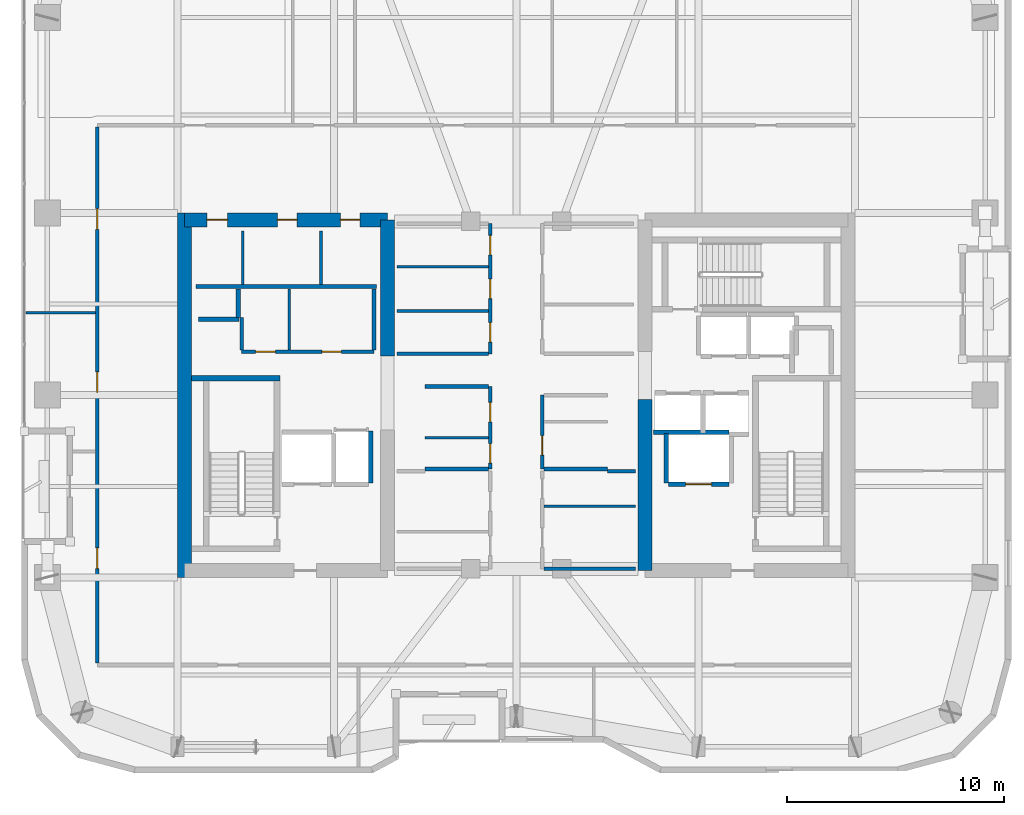
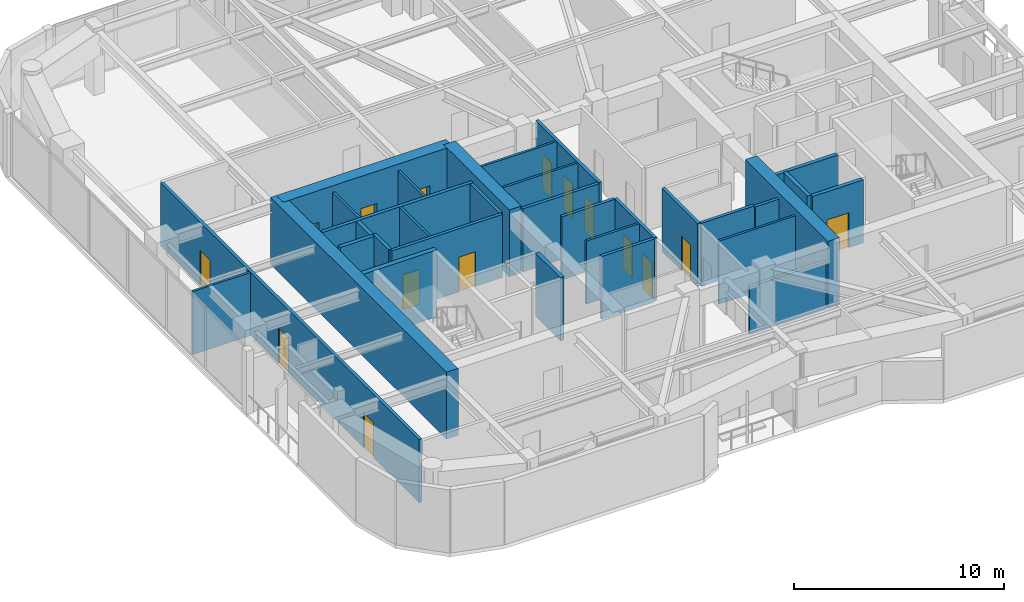
# One storey, part 16 of 21: 33 walls, 15 doors, 15 openings.
"""IFC4 building model written with IfcOpenShell, lengths in metres."""

from ifc_helpers import new_model, si_unit, direction, frame, frame_2d, origin, place, context, subcontext, project, spatial, rectangle, extrude, material, layer, layer_set, type_object, element, fill, save


model = new_model("IFC4")

# Units and contexts
model_context = context("Model", 3, precision=1e-05, world=origin(), true_north=direction((0.0, 1.0)))
body_context = subcontext(model_context, "Body", "Model", "MODEL_VIEW")
ifc_project = project(units=[si_unit("LENGTHUNIT", "METRE"), si_unit("AREAUNIT", "SQUARE_METRE"), si_unit("VOLUMEUNIT", "CUBIC_METRE"), si_unit("PLANEANGLEUNIT", "RADIAN"), si_unit("MASSUNIT", "GRAM", prefix="KILO")], contexts=[model_context])

# Site, building, storey
site_placement = place(None, origin())
site = spatial("IfcSite", under=ifc_project, at=site_placement, CompositionType="ELEMENT")
building_placement = place(site_placement, origin())
building = spatial("IfcBuilding", under=site, at=building_placement, Name="Kiyonajd Concourse Tower", CompositionType="ELEMENT")
storey_placement = place(building_placement, frame((0.0, 0.0, 227.10009765625)))
storey = spatial("IfcBuildingStorey", under=building, at=storey_placement, Name="L57", CompositionType="ELEMENT", Elevation=227.10009765625)

# Walls
ifc_material_1 = material(Name="Concrete C60/75", Category="concrete")
ifc_layer_1 = layer(ifc_material_1, 0.64990234375)
ifc_layer_set_1 = layer_set([ifc_layer_1], Name="Concrete C60/75")
wall_type_1 = type_object("IfcWallType", Name="WL-CORE-650", PredefinedType="SHEAR", material=ifc_layer_set_1)
wall_1_placement = place(storey_placement, frame((32.72509765625, 27.60009765625, 0.0), z_axis=(0.0, 0.0, 1.0), x_axis=(0.0, 1.0, 0.0)))
element("IfcWall", 1, at=wall_1_placement, inside=storey, type_object=wall_type_1, Name="L57 West Core Outer Shear Wall", PredefinedType="SHEAR", context=body_context, shape_type="SweptSolid", body=[
    extrude(rectangle(XDim=16.7998046875, YDim=0.64990234375, at=frame_2d((8.39990234375, 0.0))), origin(), (0.0, 0.0, 1.0), 3.89990234375),
])
wall_2_placement = place(storey_placement, frame((42.074951171875, 37.800048828125, 0.0), z_axis=(0.0, 0.0, 1.0), x_axis=(0.0, 1.0, 0.0)))
element("IfcWall", 2, at=wall_2_placement, inside=storey, type_object=wall_type_1, Name="L57 West Core Inner North Shear Wall", PredefinedType="SHEAR", context=body_context, shape_type="SweptSolid", body=[
    extrude(rectangle(XDim=6.27490234375, YDim=0.64990234375, at=frame_2d((3.137451171875, 0.0))), origin(), (0.0, 0.0, 1.0), 3.89990234375),
])

# Wall, openings, doors
wall_3_placement = place(storey_placement, frame((32.72509765625, 44.074951171875, 0.0), z_axis=(0.0, 0.0, 1.0), x_axis=(1.0, 0.0, 0.0)))
wall_3 = element("IfcWall", 3, at=wall_3_placement, inside=storey, type_object=wall_type_1, Name="L57 West Core North Shear Wall", PredefinedType="SHEAR", context=body_context, shape_type="SweptSolid", body=[
    extrude(rectangle(XDim=9.349853515625, YDim=0.64990234375, at=frame_2d((4.6748046875, 0.0))), origin(), (0.0, 0.0, 1.0), 3.89990234375),
])
opening_1_placement = place(wall_3_placement, frame((1.02490234375, 0.0, 0.0)))
opening_1 = element("IfcOpeningElement", 4, at=opening_1_placement, cuts=wall_3, Name="Opening DI1", PredefinedType="OPENING", context=body_context, shape_type="SweptSolid", body=[
    extrude(rectangle(XDim=0.949951171875, YDim=2.0400390625, at=frame_2d((0.47509765625, 1.02001953125))), frame((0.0, 0.3349609375, 0.0), z_axis=(0.0, -1.0, 0.0), x_axis=(1.0, 0.0, 0.0)), (0.0, 0.0, 1.0), 0.669921875),
])
opening_2_placement = place(wall_3_placement, frame((4.27490234375, 0.0, 0.0)))
opening_2 = element("IfcOpeningElement", 5, at=opening_2_placement, cuts=wall_3, Name="Opening DI2", PredefinedType="OPENING", context=body_context, shape_type="SweptSolid", body=[
    extrude(rectangle(XDim=0.89990234375, YDim=2.02001953125, at=frame_2d((0.449951171875, 1.010009765625))), frame((0.0, 0.3349609375, 0.0), z_axis=(0.0, -1.0, 0.0), x_axis=(1.0, 0.0, 0.0)), (0.0, 0.0, 1.0), 0.669921875),
])
opening_3_placement = place(wall_3_placement, frame((7.175048828125, 0.0, 0.0)))
opening_3 = element("IfcOpeningElement", 6, at=opening_3_placement, cuts=wall_3, Name="Opening DI2", PredefinedType="OPENING", context=body_context, shape_type="SweptSolid", body=[
    extrude(rectangle(XDim=0.89990234375, YDim=2.02001953125, at=frame_2d((0.449951171875, 1.010009765625))), frame((0.0, 0.3349609375, 0.0), z_axis=(0.0, -1.0, 0.0), x_axis=(1.0, 0.0, 0.0)), (0.0, 0.0, 1.0), 0.669921875),
])
ifc_material_2 = material(Name="Natural Oak Acoustic Timber Veneer", Category="wood")
door_type_1 = type_object("IfcDoorType", Name="DR-INT-900", OperationType="NOTDEFINED", PredefinedType="DOOR", material=ifc_material_2)
door_1_placement = place(opening_2_placement, origin())
door_1 = element("IfcDoor", 7, at=door_1_placement, inside=storey, type_object=door_type_1, Name="L57 Male Restroom Door", OperationType="SINGLE_SWING_RIGHT", OverallHeight=2.02001953125, OverallWidth=0.89990234375, PredefinedType="DOOR", context=body_context, shape_type="SweptSolid", body=[
    extrude(rectangle(XDim=0.89990234375, YDim=2.02001953125, at=frame_2d((0.449951171875, 1.010009765625))), frame((0.0, 0.02490234375, 0.0), z_axis=(0.0, -1.0, 0.0), x_axis=(1.0, 0.0, 0.0)), (0.0, 0.0, 1.0), 0.050048828125),
])
fill(opening_2, door_1)
door_2_placement = place(opening_3_placement, origin())
door_2 = element("IfcDoor", 8, at=door_2_placement, inside=storey, type_object=door_type_1, Name="L57 Female Restroom Door", OperationType="SINGLE_SWING_LEFT", OverallHeight=2.02001953125, OverallWidth=0.89990234375, PredefinedType="DOOR", context=body_context, shape_type="SweptSolid", body=[
    extrude(rectangle(XDim=0.89990234375, YDim=2.02001953125, at=frame_2d((0.449951171875, 1.010009765625))), frame((0.0, 0.02490234375, 0.0), z_axis=(0.0, -1.0, 0.0), x_axis=(1.0, 0.0, 0.0)), (0.0, 0.0, 1.0), 0.050048828125),
])
fill(opening_3, door_2)
door_type_2 = type_object("IfcDoorType", Name="DR-INT-950", OperationType="NOTDEFINED", PredefinedType="DOOR", material=ifc_material_2)
door_3_placement = place(opening_1_placement, origin())
door_3 = element("IfcDoor", 9, at=door_3_placement, inside=storey, type_object=door_type_2, Name="L57 Single User Accessible WC Door", OperationType="SINGLE_SWING_LEFT", OverallHeight=2.0400390625, OverallWidth=0.949951171875, PredefinedType="DOOR", context=body_context, shape_type="SweptSolid", body=[
    extrude(rectangle(XDim=0.949951171875, YDim=2.0400390625, at=frame_2d((0.47509765625, 1.02001953125))), frame((0.0, 0.02490234375, 0.0), z_axis=(0.0, -1.0, 0.0), x_axis=(1.0, 0.0, 0.0)), (0.0, 0.0, 1.0), 0.050048828125),
])
fill(opening_1, door_3)

# Walls
wall_4_placement = place(storey_placement, frame((53.925048828125, 27.925048828125, 0.0), z_axis=(0.0, 0.0, 1.0), x_axis=(0.0, 1.0, 0.0)))
element("IfcWall", 10, at=wall_4_placement, inside=storey, type_object=wall_type_1, Name="L57 East Core Inner South Shear Wall", PredefinedType="SHEAR", context=body_context, shape_type="SweptSolid", body=[
    extrude(rectangle(XDim=7.875, YDim=0.64990234375, at=frame_2d((3.9375, 0.0))), origin(), (0.0, 0.0, 1.0), 3.89990234375),
])
ifc_material_3 = material(Name="Gypsum Board on Cold-Formed Steel Stud", Category="steel")
ifc_layer_2 = layer(ifc_material_3, 0.125)
ifc_layer_set_2 = layer_set([ifc_layer_2], Name="Gypsum Board on Cold-Formed Steel Stud")
wall_type_2 = type_object("IfcWallType", Name="WL-PART-125", PredefinedType="PARTITIONING", material=ifc_layer_set_2)
for number, where, z_axis, x_axis, name in (
    (11, (35.39990234375, 41.094970703125, 0.0), (0.0, 0.0, 1.0), (0.0, 1.0, 0.0), "L57 Interior Partition Wall"),
    (12, (39.0, 41.094970703125, 0.0), (0.0, 0.0, 1.0), (0.0, 1.0, 0.0), "L57 Interior Partition Wall"),
):
    element("IfcWall", number, at=place(storey_placement, frame(where, z_axis=z_axis, x_axis=x_axis)), inside=storey, type_object=wall_type_2, Name=name, PredefinedType="PARTITIONING", context=body_context, shape_type="SweptSolid", body=[
        extrude(rectangle(XDim=2.455078125, YDim=0.125, at=frame_2d((1.2275390625, 0.0))), origin(), (0.0, 0.0, 1.0), 3.679931640625),
    ])
wall_5_placement = place(storey_placement, frame((37.5458984375, 38.0869140625, 0.0), z_axis=(0.0, 0.0, 1.0), x_axis=(0.0, 1.0, 0.0)))
element("IfcWall", 13, at=wall_5_placement, inside=storey, type_object=wall_type_2, Name="L57 Interior Partition Wall", PredefinedType="PARTITIONING", context=body_context, shape_type="SweptSolid", body=[
    extrude(rectangle(XDim=2.81298828125, YDim=0.125, at=frame_2d((1.406494140625, 0.0))), origin(), (0.0, 0.0, 1.0), 3.679931640625),
])
wall_6_placement = place(storey_placement, frame((43.800048828125, 34.0439453125, 0.0), z_axis=(0.0, 0.0, 1.0), x_axis=(1.0, 0.0, 0.0)))
element("IfcWall", 14, at=wall_6_placement, inside=storey, type_object=wall_type_2, Name="L57 Interior Partition Wall", PredefinedType="PARTITIONING", context=body_context, shape_type="SweptSolid", body=[
    extrude(rectangle(XDim=2.912841796875, YDim=0.125, at=frame_2d((1.45654296875, 0.0))), origin(), (0.0, 0.0, 1.0), 3.679931640625),
])
for number, where, z_axis, x_axis, name in (
    (15, (49.287109375, 30.8798828125, 0.0), (0.0, 0.0, 1.0), (1.0, 0.0, 0.0), "L57 Interior Partition Wall"),
    (16, (42.5, 39.8798828125, 0.0), (0.0, 0.0, 1.0), (1.0, 0.0, 0.0), "L57 Interior Partition Wall"),
    (17, (42.5, 41.919921875, 0.0), (0.0, 0.0, 1.0), (1.0, 0.0, 0.0), "L57 Interior Partition Wall"),
):
    element("IfcWall", number, at=place(storey_placement, frame(where, z_axis=z_axis, x_axis=x_axis)), inside=storey, type_object=wall_type_2, Name=name, PredefinedType="PARTITIONING", context=body_context, shape_type="SweptSolid", body=[
        extrude(rectangle(XDim=4.212890625, YDim=0.125, at=frame_2d((2.1064453125, 0.0))), origin(), (0.0, 0.0, 1.0), 3.679931640625),
    ])
wall_7_placement = place(storey_placement, frame((25.425048828125, 39.800048828125, 0.0), z_axis=(0.0, 0.0, 1.0), x_axis=(1.0, 0.0, 0.0)))
element("IfcWall", 18, at=wall_7_placement, inside=storey, type_object=wall_type_2, Name="L57 Interior Partition Wall", PredefinedType="PARTITIONING", context=body_context, shape_type="SweptSolid", body=[
    extrude(rectangle(XDim=3.18798828125, YDim=0.125, at=frame_2d((1.593994140625, 0.0))), origin(), (0.0, 0.0, 1.0), 3.679931640625),
])
ifc_layer_3 = layer(ifc_material_3, 0.18994140625)
ifc_layer_set_3 = layer_set([ifc_layer_3], Name="Gypsum Board on Cold-Formed Steel Stud")
wall_type_3 = type_object("IfcWallType", Name="WL-PLMB-190", PredefinedType="PLUMBINGWALL", material=ifc_layer_set_3)
wall_8_placement = place(storey_placement, frame((33.25, 41.0, 0.0), z_axis=(0.0, 0.0, 1.0), x_axis=(1.0, 0.0, 0.0)))
element("IfcWall", 19, at=wall_8_placement, inside=storey, type_object=wall_type_3, Name="L57 Interior Partition Wall", PredefinedType="PLUMBINGWALL", context=body_context, shape_type="SweptSolid", body=[
    extrude(rectangle(XDim=8.300048828125, YDim=0.18994140625, at=frame_2d((4.14990234375, 0.0))), origin(), (0.0, 0.0, 1.0), 3.679931640625),
])
ifc_layer_4 = layer(ifc_material_3, 0.2099609375)
ifc_layer_set_4 = layer_set([ifc_layer_4], Name="Gypsum Board on Cold-Formed Steel Stud")
wall_type_4 = type_object("IfcWallType", Name="WL-SHAFT-210", PredefinedType="PARTITIONING", material=ifc_layer_set_4)
wall_9_placement = place(storey_placement, frame((33.360107421875, 39.5, 0.0), z_axis=(0.0, 0.0, 1.0), x_axis=(1.0, 0.0, 0.0)))
element("IfcWall", 20, at=wall_9_placement, inside=storey, type_object=wall_type_4, Name="L57 Shaft Enclosure Wall", PredefinedType="PARTITIONING", context=body_context, shape_type="SweptSolid", body=[
    extrude(rectangle(XDim=1.85986328125, YDim=0.2099609375, at=frame_2d((0.929931640625, 0.0))), origin(), (0.0, 0.0, 1.0), 3.679931640625),
])
wall_10_placement = place(storey_placement, frame((35.199951171875, 39.580078125, 0.0), z_axis=(0.0, 0.0, 1.0), x_axis=(0.0, 1.0, 0.0)))
element("IfcWall", 21, at=wall_10_placement, inside=storey, type_object=wall_type_4, Name="L57 Shaft Enclosure Wall", PredefinedType="PARTITIONING", context=body_context, shape_type="SweptSolid", body=[
    extrude(rectangle(XDim=1.31982421875, YDim=0.2099609375, at=frame_2d((0.659912109375, 0.0))), origin(), (0.0, 0.0, 1.0), 3.679931640625),
])

# Wall, opening, door
wall_11_placement = place(storey_placement, frame((55.0, 31.89990234375, 0.0), z_axis=(0.0, 0.0, 1.0), x_axis=(1.0, 0.0, 0.0)))
wall_11 = element("IfcWall", 22, at=wall_11_placement, inside=storey, type_object=wall_type_4, Name="L57 Shaft Enclosure Wall", PredefinedType="PARTITIONING", context=body_context, shape_type="SweptSolid", body=[
    extrude(rectangle(XDim=2.800048828125, YDim=0.2099609375, at=frame_2d((1.39990234375, 0.0))), origin(), (0.0, 0.0, 1.0), 3.679931640625),
])
opening_4_placement = place(wall_11_placement, frame((0.800048828125, 0.0, 0.0)))
opening_4 = element("IfcOpeningElement", 23, at=opening_4_placement, cuts=wall_11, Name="Opening LD2", PredefinedType="OPENING", context=body_context, shape_type="SweptSolid", body=[
    extrude(rectangle(XDim=1.199951171875, YDim=2.0400390625, at=frame_2d((0.60009765625, 1.02001953125))), frame((0.0, 0.114990234375, 0.0), z_axis=(0.0, -1.0, 0.0), x_axis=(1.0, 0.0, 0.0)), (0.0, 0.0, 1.0), 0.22998046875),
])
ifc_material_4 = material(Name="Brushed Stainless Steel Cab Assembly", Category="steel")
door_type_3 = type_object("IfcDoorType", Name="DR-LD-1200", OperationType="DOUBLE_DOOR_SLIDING", PredefinedType="DOOR", material=ifc_material_4)
door_4_placement = place(opening_4_placement, origin())
door_4 = element("IfcDoor", 24, at=door_4_placement, inside=storey, type_object=door_type_3, Name="L57 Lift FFL2 Sliding Landing Door", OperationType="DOUBLE_DOOR_SLIDING", OverallHeight=2.0400390625, OverallWidth=1.199951171875, PredefinedType="DOOR", context=body_context, shape_type="SweptSolid", body=[
    extrude(rectangle(XDim=1.199951171875, YDim=2.0400390625, at=frame_2d((0.60009765625, 1.02001953125))), frame((0.0, 0.02490234375, 0.0), z_axis=(0.0, -1.0, 0.0), x_axis=(1.0, 0.0, 0.0)), (0.0, 0.0, 1.0), 0.050048828125),
])
fill(opening_4, door_4)

# Walls
wall_12_placement = place(storey_placement, frame((54.320068359375, 34.300048828125, 0.0), z_axis=(0.0, 0.0, 1.0), x_axis=(1.0, 0.0, 0.0)))
element("IfcWall", 25, at=wall_12_placement, inside=storey, type_object=wall_type_4, Name="L57 Shaft Enclosure Wall", PredefinedType="PARTITIONING", context=body_context, shape_type="SweptSolid", body=[
    extrude(rectangle(XDim=3.47998046875, YDim=0.2099609375, at=frame_2d((1.739990234375, 0.0))), origin(), (0.0, 0.0, 1.0), 3.679931640625),
])
wall_13_placement = place(storey_placement, frame((54.89990234375, 31.9599609375, 0.0), z_axis=(0.0, 0.0, 1.0), x_axis=(0.0, 1.0, 0.0)))
element("IfcWall", 26, at=wall_13_placement, inside=storey, type_object=wall_type_4, Name="L57 Shaft Enclosure Wall", PredefinedType="PARTITIONING", context=body_context, shape_type="SweptSolid", body=[
    extrude(rectangle(XDim=2.280029296875, YDim=0.2099609375, at=frame_2d((1.14013671875, 0.0))), origin(), (0.0, 0.0, 1.0), 3.679931640625),
])
wall_14_placement = place(storey_placement, frame((41.300048828125, 31.9599609375, 0.0), z_axis=(0.0, 0.0, 1.0), x_axis=(0.0, 1.0, 0.0)))
element("IfcWall", 27, at=wall_14_placement, inside=storey, type_object=wall_type_4, Name="L57 Shaft Enclosure Wall", PredefinedType="PARTITIONING", context=body_context, shape_type="SweptSolid", body=[
    extrude(rectangle(XDim=2.380126953125, YDim=0.2099609375, at=frame_2d((1.18994140625, 0.0))), origin(), (0.0, 0.0, 1.0), 3.679931640625),
])

# Wall, openings, doors
ifc_layer_5 = layer(ifc_material_3, 0.169921875)
ifc_layer_set_5 = layer_set([ifc_layer_5], Name="Gypsum Board on Cold-Formed Steel Stud")
wall_type_5 = type_object("IfcWallType", Name="WL-SMK-170", PredefinedType="PARTITIONING", material=ifc_layer_set_5)
wall_15_placement = place(storey_placement, frame((35.35009765625, 38.0, 0.0), z_axis=(0.0, 0.0, 1.0), x_axis=(1.0, 0.0, 0.0)))
wall_15 = element("IfcWall", 28, at=wall_15_placement, inside=storey, type_object=wall_type_5, Name="L57 Interior Partition Wall", PredefinedType="PARTITIONING", context=body_context, shape_type="SweptSolid", body=[
    extrude(rectangle(XDim=6.099853515625, YDim=0.169921875, at=frame_2d((3.0498046875, 0.0))), origin(), (0.0, 0.0, 1.0), 3.679931640625),
])
opening_5_placement = place(wall_15_placement, frame((0.64794921875, 0.0, 0.0)))
opening_5 = element("IfcOpeningElement", 29, at=opening_5_placement, cuts=wall_15, Name="Opening DI2", PredefinedType="OPENING", context=body_context, shape_type="SweptSolid", body=[
    extrude(rectangle(XDim=0.89990234375, YDim=2.02001953125, at=frame_2d((0.449951171875, 1.010009765625))), frame((0.0, 0.094970703125, 0.0), z_axis=(0.0, -1.0, 0.0), x_axis=(1.0, 0.0, 0.0)), (0.0, 0.0, 1.0), 0.18994140625),
])
opening_6_placement = place(wall_15_placement, frame((3.697998046875, 0.0, 0.0)))
opening_6 = element("IfcOpeningElement", 30, at=opening_6_placement, cuts=wall_15, Name="Opening DI2", PredefinedType="OPENING", context=body_context, shape_type="SweptSolid", body=[
    extrude(rectangle(XDim=0.89990234375, YDim=2.02001953125, at=frame_2d((0.449951171875, 1.010009765625))), frame((0.0, 0.094970703125, 0.0), z_axis=(0.0, -1.0, 0.0), x_axis=(1.0, 0.0, 0.0)), (0.0, 0.0, 1.0), 0.18994140625),
])
door_5_placement = place(opening_5_placement, origin())
door_5 = element("IfcDoor", 31, at=door_5_placement, inside=storey, type_object=door_type_1, Name="L57 Interior Door", OperationType="SINGLE_SWING_RIGHT", OverallHeight=2.02001953125, OverallWidth=0.89990234375, PredefinedType="DOOR", context=body_context, shape_type="SweptSolid", body=[
    extrude(rectangle(XDim=0.89990234375, YDim=2.02001953125, at=frame_2d((0.449951171875, 1.010009765625))), frame((0.0, 0.02490234375, 0.0), z_axis=(0.0, -1.0, 0.0), x_axis=(1.0, 0.0, 0.0)), (0.0, 0.0, 1.0), 0.050048828125),
])
fill(opening_5, door_5)
door_6_placement = place(opening_6_placement, origin())
door_6 = element("IfcDoor", 32, at=door_6_placement, inside=storey, type_object=door_type_1, Name="L57 Interior Door", OperationType="SINGLE_SWING_LEFT", OverallHeight=2.02001953125, OverallWidth=0.89990234375, PredefinedType="DOOR", context=body_context, shape_type="SweptSolid", body=[
    extrude(rectangle(XDim=0.89990234375, YDim=2.02001953125, at=frame_2d((0.449951171875, 1.010009765625))), frame((0.0, 0.02490234375, 0.0), z_axis=(0.0, -1.0, 0.0), x_axis=(1.0, 0.0, 0.0)), (0.0, 0.0, 1.0), 0.050048828125),
])
fill(opening_6, door_6)

# Walls
wall_16_placement = place(storey_placement, frame((35.35009765625, 38.0869140625, 0.0), z_axis=(0.0, 0.0, 1.0), x_axis=(0.0, 1.0, 0.0)))
element("IfcWall", 33, at=wall_16_placement, inside=storey, type_object=wall_type_5, Name="L57 Interior Partition Wall", PredefinedType="PARTITIONING", context=body_context, shape_type="SweptSolid", body=[
    extrude(rectangle(XDim=1.4931640625, YDim=0.169921875, at=frame_2d((0.74658203125, 0.0))), origin(), (0.0, 0.0, 1.0), 3.679931640625),
])
wall_17_placement = place(storey_placement, frame((41.449951171875, 38.0869140625, 0.0), z_axis=(0.0, 0.0, 1.0), x_axis=(0.0, 1.0, 0.0)))
element("IfcWall", 34, at=wall_17_placement, inside=storey, type_object=wall_type_5, Name="L57 Interior Partition Wall", PredefinedType="PARTITIONING", context=body_context, shape_type="SweptSolid", body=[
    extrude(rectangle(XDim=2.81298828125, YDim=0.169921875, at=frame_2d((1.406494140625, 0.0))), origin(), (0.0, 0.0, 1.0), 3.679931640625),
])

# Wall, openings, doors
wall_18_placement = place(storey_placement, frame((46.800048828125, 32.60009765625, 0.0), z_axis=(0.0, 0.0, 1.0), x_axis=(0.0, 1.0, 0.0)))
wall_18 = element("IfcWall", 35, at=wall_18_placement, inside=storey, type_object=wall_type_5, Name="L57 Interior Partition Wall", PredefinedType="PARTITIONING", context=body_context, shape_type="SweptSolid", body=[
    extrude(rectangle(XDim=3.7998046875, YDim=0.169921875, at=frame_2d((1.89990234375, 0.0))), origin(), (0.0, 0.0, 1.0), 3.679931640625),
])
opening_7_placement = place(wall_18_placement, frame((0.27197265625, 0.0, 0.0)))
opening_7 = element("IfcOpeningElement", 36, at=opening_7_placement, cuts=wall_18, Name="Opening DI2", PredefinedType="OPENING", context=body_context, shape_type="SweptSolid", body=[
    extrude(rectangle(XDim=0.89990234375, YDim=2.02001953125, at=frame_2d((0.449951171875, 1.010009765625))), frame((0.0, 0.094970703125, 0.0), z_axis=(0.0, -1.0, 0.0), x_axis=(1.0, 0.0, 0.0)), (0.0, 0.0, 1.0), 0.18994140625),
])
opening_8_placement = place(wall_18_placement, frame((2.172119140625, 0.0, 0.0)))
opening_8 = element("IfcOpeningElement", 37, at=opening_8_placement, cuts=wall_18, Name="Opening DI2", PredefinedType="OPENING", context=body_context, shape_type="SweptSolid", body=[
    extrude(rectangle(XDim=0.89990234375, YDim=2.02001953125, at=frame_2d((0.449951171875, 1.010009765625))), frame((0.0, 0.094970703125, 0.0), z_axis=(0.0, -1.0, 0.0), x_axis=(1.0, 0.0, 0.0)), (0.0, 0.0, 1.0), 0.18994140625),
])
door_7_placement = place(opening_7_placement, origin())
door_7 = element("IfcDoor", 38, at=door_7_placement, inside=storey, type_object=door_type_1, Name="L57 Interior Door", OperationType="SINGLE_SWING_RIGHT", OverallHeight=2.02001953125, OverallWidth=0.89990234375, PredefinedType="DOOR", context=body_context, shape_type="SweptSolid", body=[
    extrude(rectangle(XDim=0.89990234375, YDim=2.02001953125, at=frame_2d((0.449951171875, 1.010009765625))), frame((0.0, 0.02490234375, 0.0), z_axis=(0.0, -1.0, 0.0), x_axis=(1.0, 0.0, 0.0)), (0.0, 0.0, 1.0), 0.050048828125),
])
fill(opening_7, door_7)
door_8_placement = place(opening_8_placement, origin())
door_8 = element("IfcDoor", 39, at=door_8_placement, inside=storey, type_object=door_type_1, Name="L57 Interior Door", OperationType="SINGLE_SWING_LEFT", OverallHeight=2.02001953125, OverallWidth=0.89990234375, PredefinedType="DOOR", context=body_context, shape_type="SweptSolid", body=[
    extrude(rectangle(XDim=0.89990234375, YDim=2.02001953125, at=frame_2d((0.449951171875, 1.010009765625))), frame((0.0, 0.02490234375, 0.0), z_axis=(0.0, -1.0, 0.0), x_axis=(1.0, 0.0, 0.0)), (0.0, 0.0, 1.0), 0.050048828125),
])
fill(opening_8, door_8)

# Walls
for number, where, z_axis, x_axis, name in (
    (40, (43.800048828125, 32.60009765625, 0.0), (0.0, 0.0, 1.0), (1.0, 0.0, 0.0), "L57 Interior Partition Wall"),
    (41, (43.800048828125, 36.39990234375, 0.0), (0.0, 0.0, 1.0), (1.0, 0.0, 0.0), "L57 Interior Partition Wall"),
):
    element("IfcWall", number, at=place(storey_placement, frame(where, z_axis=z_axis, x_axis=x_axis)), inside=storey, type_object=wall_type_5, Name=name, PredefinedType="PARTITIONING", context=body_context, shape_type="SweptSolid", body=[
        extrude(rectangle(XDim=2.912841796875, YDim=0.169921875, at=frame_2d((1.45654296875, 0.0))), origin(), (0.0, 0.0, 1.0), 3.679931640625),
    ])

# Wall, opening, door
wall_19_placement = place(storey_placement, frame((49.199951171875, 32.60009765625, 0.0), z_axis=(0.0, 0.0, 1.0), x_axis=(0.0, 1.0, 0.0)))
wall_19 = element("IfcWall", 42, at=wall_19_placement, inside=storey, type_object=wall_type_5, Name="L57 Interior Partition Wall", PredefinedType="PARTITIONING", context=body_context, shape_type="SweptSolid", body=[
    extrude(rectangle(XDim=3.39990234375, YDim=0.169921875, at=frame_2d((1.699951171875, 0.0))), origin(), (0.0, 0.0, 1.0), 3.679931640625),
])
opening_9_placement = place(wall_19_placement, frame((0.637939453125, 0.0, 0.0)))
opening_9 = element("IfcOpeningElement", 43, at=opening_9_placement, cuts=wall_19, Name="Opening DF4", PredefinedType="OPENING", context=body_context, shape_type="SweptSolid", body=[
    extrude(rectangle(XDim=0.89990234375, YDim=2.02001953125, at=frame_2d((0.449951171875, 1.010009765625))), frame((0.0, 0.094970703125, 0.0), z_axis=(0.0, -1.0, 0.0), x_axis=(1.0, 0.0, 0.0)), (0.0, 0.0, 1.0), 0.18994140625),
])
door_type_4 = type_object("IfcDoorType", Name="DR-FD60-900", OperationType="NOTDEFINED", PredefinedType="DOOR", material=ifc_material_4)
door_9_placement = place(opening_9_placement, origin())
door_9 = element("IfcDoor", 44, at=door_9_placement, inside=storey, type_object=door_type_4, Name="L57 Interior Door", OperationType="SINGLE_SWING_RIGHT", OverallHeight=2.02001953125, OverallWidth=0.89990234375, PredefinedType="DOOR", context=body_context, shape_type="SweptSolid", body=[
    extrude(rectangle(XDim=0.89990234375, YDim=2.02001953125, at=frame_2d((0.449951171875, 1.010009765625))), frame((0.0, 0.02490234375, 0.0), z_axis=(0.0, -1.0, 0.0), x_axis=(1.0, 0.0, 0.0)), (0.0, 0.0, 1.0), 0.050048828125),
])
fill(opening_9, door_9)

# Walls
wall_20_placement = place(storey_placement, frame((49.287109375, 32.60009765625, 0.0), z_axis=(0.0, 0.0, 1.0), x_axis=(1.0, 0.0, 0.0)))
element("IfcWall", 45, at=wall_20_placement, inside=storey, type_object=wall_type_5, Name="L57 Interior Partition Wall", PredefinedType="PARTITIONING", context=body_context, shape_type="SweptSolid", body=[
    extrude(rectangle(XDim=2.912841796875, YDim=0.169921875, at=frame_2d((1.45654296875, 0.0))), origin(), (0.0, 0.0, 1.0), 3.679931640625),
])
wall_21_placement = place(storey_placement, frame((49.287109375, 28.0, 0.0), z_axis=(0.0, 0.0, 1.0), x_axis=(1.0, 0.0, 0.0)))
element("IfcWall", 46, at=wall_21_placement, inside=storey, type_object=wall_type_5, Name="L57 Interior Partition Wall", PredefinedType="PARTITIONING", context=body_context, shape_type="SweptSolid", body=[
    extrude(rectangle(XDim=4.212890625, YDim=0.169921875, at=frame_2d((2.1064453125, 0.0))), origin(), (0.0, 0.0, 1.0), 2.764892578125),
])
wall_22_placement = place(storey_placement, frame((52.199951171875, 32.5, 0.0), z_axis=(0.0, 0.0, 1.0), x_axis=(1.0, 0.0, 0.0)))
element("IfcWall", 47, at=wall_22_placement, inside=storey, type_object=wall_type_5, Name="L57 Interior Partition Wall", PredefinedType="PARTITIONING", context=body_context, shape_type="SweptSolid", body=[
    extrude(rectangle(XDim=1.300048828125, YDim=0.169921875, at=frame_2d((0.64990234375, 0.0))), origin(), (0.0, 0.0, 1.0), 3.679931640625),
])

# Wall, openings, doors
wall_23_placement = place(storey_placement, frame((46.800048828125, 37.89990234375, 0.0), z_axis=(0.0, 0.0, 1.0), x_axis=(0.0, 1.0, 0.0)))
wall_23 = element("IfcWall", 48, at=wall_23_placement, inside=storey, type_object=wall_type_5, Name="L57 Interior Partition Wall", PredefinedType="PARTITIONING", context=body_context, shape_type="SweptSolid", body=[
    extrude(rectangle(XDim=6.0, YDim=0.169921875, at=frame_2d((3.0, 0.0))), origin(), (0.0, 0.0, 1.0), 3.679931640625),
])
opening_10_placement = place(wall_23_placement, frame((0.5400390625, 0.0, 0.0)))
opening_10 = element("IfcOpeningElement", 49, at=opening_10_placement, cuts=wall_23, Name="Opening DI2", PredefinedType="OPENING", context=body_context, shape_type="SweptSolid", body=[
    extrude(rectangle(XDim=0.89990234375, YDim=2.02001953125, at=frame_2d((0.449951171875, 1.010009765625))), frame((0.0, 0.094970703125, 0.0), z_axis=(0.0, -1.0, 0.0), x_axis=(1.0, 0.0, 0.0)), (0.0, 0.0, 1.0), 0.18994140625),
])
opening_11_placement = place(wall_23_placement, frame((2.550048828125, 0.0, 0.0)))
opening_11 = element("IfcOpeningElement", 50, at=opening_11_placement, cuts=wall_23, Name="Opening DI2", PredefinedType="OPENING", context=body_context, shape_type="SweptSolid", body=[
    extrude(rectangle(XDim=0.89990234375, YDim=2.02001953125, at=frame_2d((0.449951171875, 1.010009765625))), frame((0.0, 0.094970703125, 0.0), z_axis=(0.0, -1.0, 0.0), x_axis=(1.0, 0.0, 0.0)), (0.0, 0.0, 1.0), 0.18994140625),
])
opening_12_placement = place(wall_23_placement, frame((4.56005859375, 0.0, 0.0)))
opening_12 = element("IfcOpeningElement", 51, at=opening_12_placement, cuts=wall_23, Name="Opening DI2", PredefinedType="OPENING", context=body_context, shape_type="SweptSolid", body=[
    extrude(rectangle(XDim=0.89990234375, YDim=2.02001953125, at=frame_2d((0.449951171875, 1.010009765625))), frame((0.0, 0.094970703125, 0.0), z_axis=(0.0, -1.0, 0.0), x_axis=(1.0, 0.0, 0.0)), (0.0, 0.0, 1.0), 0.18994140625),
])
door_10_placement = place(opening_10_placement, origin())
door_10 = element("IfcDoor", 52, at=door_10_placement, inside=storey, type_object=door_type_1, Name="L57 Interior Door", OperationType="SINGLE_SWING_LEFT", OverallHeight=2.02001953125, OverallWidth=0.89990234375, PredefinedType="DOOR", context=body_context, shape_type="SweptSolid", body=[
    extrude(rectangle(XDim=0.89990234375, YDim=2.02001953125, at=frame_2d((0.449951171875, 1.010009765625))), frame((0.0, 0.02490234375, 0.0), z_axis=(0.0, -1.0, 0.0), x_axis=(1.0, 0.0, 0.0)), (0.0, 0.0, 1.0), 0.050048828125),
])
fill(opening_10, door_10)
door_11_placement = place(opening_11_placement, origin())
door_11 = element("IfcDoor", 53, at=door_11_placement, inside=storey, type_object=door_type_1, Name="L57 Interior Door", OperationType="SINGLE_SWING_RIGHT", OverallHeight=2.02001953125, OverallWidth=0.89990234375, PredefinedType="DOOR", context=body_context, shape_type="SweptSolid", body=[
    extrude(rectangle(XDim=0.89990234375, YDim=2.02001953125, at=frame_2d((0.449951171875, 1.010009765625))), frame((0.0, 0.02490234375, 0.0), z_axis=(0.0, -1.0, 0.0), x_axis=(1.0, 0.0, 0.0)), (0.0, 0.0, 1.0), 0.050048828125),
])
fill(opening_11, door_11)
door_12_placement = place(opening_12_placement, origin())
door_12 = element("IfcDoor", 54, at=door_12_placement, inside=storey, type_object=door_type_1, Name="L57 Interior Door", OperationType="SINGLE_SWING_LEFT", OverallHeight=2.02001953125, OverallWidth=0.89990234375, PredefinedType="DOOR", context=body_context, shape_type="SweptSolid", body=[
    extrude(rectangle(XDim=0.89990234375, YDim=2.02001953125, at=frame_2d((0.449951171875, 1.010009765625))), frame((0.0, 0.02490234375, 0.0), z_axis=(0.0, -1.0, 0.0), x_axis=(1.0, 0.0, 0.0)), (0.0, 0.0, 1.0), 0.050048828125),
])
fill(opening_12, door_12)

# Wall
wall_24_placement = place(storey_placement, frame((42.5, 37.89990234375, 0.0), z_axis=(0.0, 0.0, 1.0), x_axis=(1.0, 0.0, 0.0)))
element("IfcWall", 55, at=wall_24_placement, inside=storey, type_object=wall_type_5, Name="L57 Interior Partition Wall", PredefinedType="PARTITIONING", context=body_context, shape_type="SweptSolid", body=[
    extrude(rectangle(XDim=4.212890625, YDim=0.169921875, at=frame_2d((2.1064453125, 0.0))), origin(), (0.0, 0.0, 1.0), 3.679931640625),
])

# Wall, openings, doors
wall_25_placement = place(storey_placement, frame((28.699951171875, 23.656982421875, 0.0), z_axis=(0.0, 0.0, 1.0), x_axis=(0.0, 1.0, 0.0)))
wall_25 = element("IfcWall", 56, at=wall_25_placement, inside=storey, type_object=wall_type_5, Name="L57 Interior Partition Wall", PredefinedType="PARTITIONING", context=body_context, shape_type="SweptSolid", body=[
    extrude(rectangle(XDim=24.68603515625, YDim=0.169921875, at=frame_2d((12.343017578125, 0.0))), origin(), (0.0, 0.0, 1.0), 3.679931640625),
])
opening_13_placement = place(wall_25_placement, frame((4.35302734375, 0.0, 0.0)))
opening_13 = element("IfcOpeningElement", 57, at=opening_13_placement, cuts=wall_25, Name="Opening DI1", PredefinedType="OPENING", context=body_context, shape_type="SweptSolid", body=[
    extrude(rectangle(XDim=0.949951171875, YDim=2.0400390625, at=frame_2d((0.47509765625, 1.02001953125))), frame((0.0, 0.094970703125, 0.0), z_axis=(0.0, -1.0, 0.0), x_axis=(1.0, 0.0, 0.0)), (0.0, 0.0, 1.0), 0.18994140625),
])
opening_14_placement = place(wall_25_placement, frame((12.468017578125, 0.0, 0.0)))
opening_14 = element("IfcOpeningElement", 58, at=opening_14_placement, cuts=wall_25, Name="Opening DI1", PredefinedType="OPENING", context=body_context, shape_type="SweptSolid", body=[
    extrude(rectangle(XDim=0.949951171875, YDim=2.0400390625, at=frame_2d((0.47509765625, 1.02001953125))), frame((0.0, 0.094970703125, 0.0), z_axis=(0.0, -1.0, 0.0), x_axis=(1.0, 0.0, 0.0)), (0.0, 0.0, 1.0), 0.18994140625),
])
opening_15_placement = place(wall_25_placement, frame((19.98291015625, 0.0, 0.0)))
opening_15 = element("IfcOpeningElement", 59, at=opening_15_placement, cuts=wall_25, Name="Opening DI1", PredefinedType="OPENING", context=body_context, shape_type="SweptSolid", body=[
    extrude(rectangle(XDim=0.949951171875, YDim=2.0400390625, at=frame_2d((0.47509765625, 1.02001953125))), frame((0.0, 0.094970703125, 0.0), z_axis=(0.0, -1.0, 0.0), x_axis=(1.0, 0.0, 0.0)), (0.0, 0.0, 1.0), 0.18994140625),
])
door_13_placement = place(opening_13_placement, origin())
door_13 = element("IfcDoor", 60, at=door_13_placement, inside=storey, type_object=door_type_2, Name="L57 Interior Door", OperationType="SINGLE_SWING_RIGHT", OverallHeight=2.0400390625, OverallWidth=0.949951171875, PredefinedType="DOOR", context=body_context, shape_type="SweptSolid", body=[
    extrude(rectangle(XDim=0.949951171875, YDim=2.0400390625, at=frame_2d((0.47509765625, 1.02001953125))), frame((0.0, 0.02490234375, 0.0), z_axis=(0.0, -1.0, 0.0), x_axis=(1.0, 0.0, 0.0)), (0.0, 0.0, 1.0), 0.050048828125),
])
fill(opening_13, door_13)
door_14_placement = place(opening_14_placement, origin())
door_14 = element("IfcDoor", 61, at=door_14_placement, inside=storey, type_object=door_type_2, Name="L57 Interior Door", OperationType="SINGLE_SWING_LEFT", OverallHeight=2.0400390625, OverallWidth=0.949951171875, PredefinedType="DOOR", context=body_context, shape_type="SweptSolid", body=[
    extrude(rectangle(XDim=0.949951171875, YDim=2.0400390625, at=frame_2d((0.47509765625, 1.02001953125))), frame((0.0, 0.02490234375, 0.0), z_axis=(0.0, -1.0, 0.0), x_axis=(1.0, 0.0, 0.0)), (0.0, 0.0, 1.0), 0.050048828125),
])
fill(opening_14, door_14)
door_15_placement = place(opening_15_placement, origin())
door_15 = element("IfcDoor", 62, at=door_15_placement, inside=storey, type_object=door_type_2, Name="L57 Interior Door", OperationType="SINGLE_SWING_RIGHT", OverallHeight=2.0400390625, OverallWidth=0.949951171875, PredefinedType="DOOR", context=body_context, shape_type="SweptSolid", body=[
    extrude(rectangle(XDim=0.949951171875, YDim=2.0400390625, at=frame_2d((0.47509765625, 1.02001953125))), frame((0.0, 0.02490234375, 0.0), z_axis=(0.0, -1.0, 0.0), x_axis=(1.0, 0.0, 0.0)), (0.0, 0.0, 1.0), 0.050048828125),
])
fill(opening_15, door_15)

# Wall
ifc_material_5 = material(Name="Concrete C50/60", Category="concrete")
ifc_layer_6 = layer(ifc_material_5, 0.260009765625)
ifc_layer_set_6 = layer_set([ifc_layer_6], Name="Concrete C50/60")
wall_type_6 = type_object("IfcWallType", Name="WL-STAIR-260", PredefinedType="SHEAR", material=ifc_layer_set_6)
wall_26_placement = place(storey_placement, frame((33.050048828125, 36.780029296875, 0.0), z_axis=(0.0, 0.0, 1.0), x_axis=(1.0, 0.0, 0.0)))
element("IfcWall", 63, at=wall_26_placement, inside=storey, type_object=wall_type_6, Name="L57 Stair ST1 Structural North Wall", PredefinedType="SHEAR", context=body_context, shape_type="SweptSolid", body=[
    extrude(rectangle(XDim=4.06005859375, YDim=0.260009765625, at=frame_2d((2.030029296875, 0.0))), origin(), (0.0, 0.0, 1.0), 3.89990234375),
])

save(model, "model.ifc")
